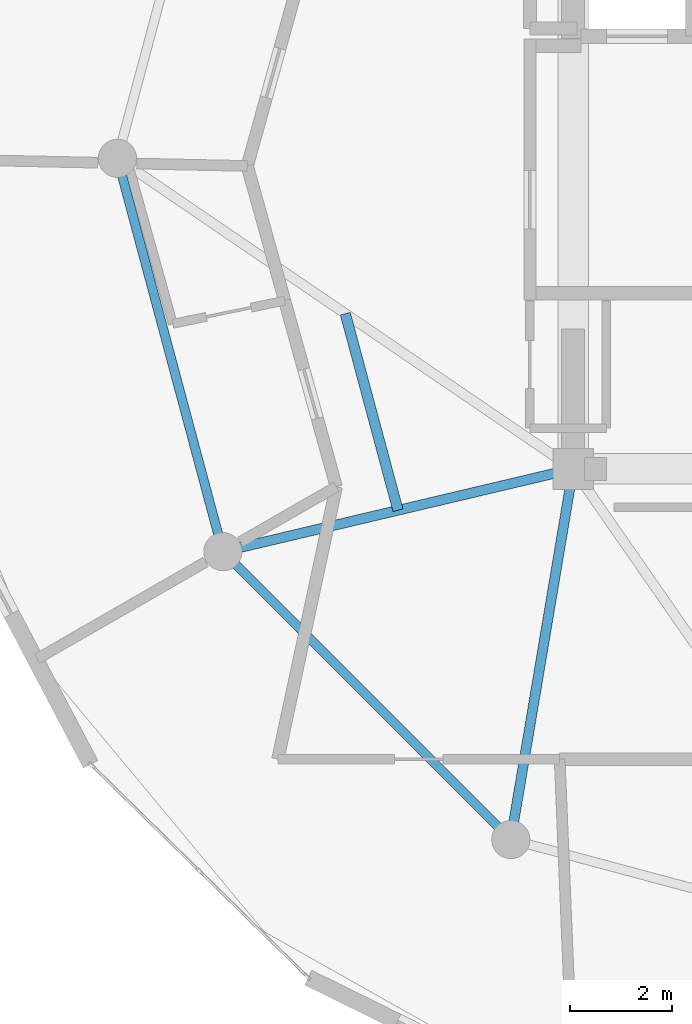
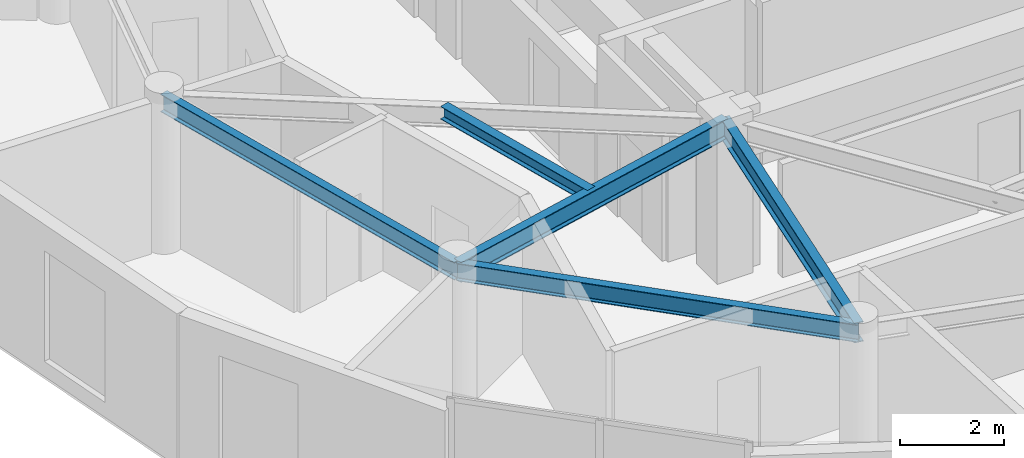
# One storey, part 3 of 18: 5 beams.
"""IFC4 building model written with IfcOpenShell, lengths in metres."""

from ifc_helpers import new_model, si_unit, direction, frame, origin, origin_2d, place, context, subcontext, project, spatial, i_section, extrude, material, material_profile, profile_set, type_object, element, save


model = new_model("IFC4")

# Units and contexts
model_context = context("Model", 3, precision=1e-05, world=origin(), true_north=direction((0.0, 1.0)))
body_context = subcontext(model_context, "Body", "Model", "MODEL_VIEW")
ifc_project = project(units=[si_unit("LENGTHUNIT", "METRE"), si_unit("AREAUNIT", "SQUARE_METRE"), si_unit("VOLUMEUNIT", "CUBIC_METRE"), si_unit("PLANEANGLEUNIT", "RADIAN"), si_unit("MASSUNIT", "GRAM", prefix="KILO")], contexts=[model_context])

# Site, building, storey
site_placement = place(None, origin())
site = spatial("IfcSite", under=ifc_project, at=site_placement, CompositionType="ELEMENT")
building_placement = place(site_placement, origin())
building = spatial("IfcBuilding", under=site, at=building_placement, Name="Solvirekh Grand Hotel", CompositionType="ELEMENT")
storey_placement = place(building_placement, frame((0.0, 0.0, 274.39990234375)))
storey = spatial("IfcBuildingStorey", under=building, at=storey_placement, Name="L71", CompositionType="ELEMENT", Elevation=274.39990234375)

# Beams
ifc_material = material(Name="Steel S355", Category="steel")
ifc_material_profile_1 = material_profile(ifc_material, i_section(OverallWidth=0.194091796875, OverallDepth=0.468994140625, WebThickness=0.010986328125, FlangeThickness=0.01904296875, FilletRadius=0.012939453125, at=origin_2d()), Name="W460X106")
ifc_profile_set_1 = profile_set([ifc_material_profile_1], Name="Steel S355")
beam_type_1 = type_object("IfcBeamType", Name="Beam_Radial_W460H", PredefinedType="BEAM", material=ifc_profile_set_1)
beam_1_placement = place(storey_placement, frame((-6.5, -6.10009765625, 3.336181640625), z_axis=(-0.973221147544, -0.229870828888, 0.0), x_axis=(0.229870828888, -0.973221147544, 0.0)))
element("IfcBeam", 1, at=beam_1_placement, inside=storey, type_object=beam_type_1, Name="L71 radial floor beam R08", PredefinedType="BEAM", context=body_context, shape_type="SweptSolid", body=[
    extrude(i_section(OverallWidth=0.194091796875, OverallDepth=0.468994140625, WebThickness=0.010986328125, FlangeThickness=0.01904296875, FilletRadius=0.012939453125, at=origin_2d()), origin(), (0.0, 0.0, 1.0), 7.069091796875),
])
beam_2_placement = place(storey_placement, frame((-6.5, -6.10009765625, 3.336181640625), z_axis=(-0.165954049106, -0.986133486697, 0.0), x_axis=(0.986133486697, -0.165954049106, 0.0)))
element("IfcBeam", 2, at=beam_2_placement, inside=storey, type_object=beam_type_1, Name="L71 radial floor beam R09", PredefinedType="BEAM", context=body_context, shape_type="SweptSolid", body=[
    extrude(i_section(OverallWidth=0.194091796875, OverallDepth=0.468994140625, WebThickness=0.010986328125, FlangeThickness=0.01904296875, FilletRadius=0.012939453125, at=origin_2d()), origin(), (0.0, 0.0, 1.0), 7.382080078125),
])
ifc_material_profile_2 = material_profile(ifc_material, i_section(OverallWidth=0.202880859375, OverallDepth=0.302978515625, WebThickness=0.008056640625, FlangeThickness=0.012939453125, FilletRadius=0.010009765625, at=origin_2d()), Name="W310X60")
ifc_profile_set_2 = profile_set([ifc_material_profile_2], Name="Steel S355")
beam_type_2 = type_object("IfcBeamType", Name="Joist_Floor_W310", PredefinedType="JOIST", material=ifc_profile_set_2)
beam_3_placement = place(storey_placement, frame((-10.97509765625, -3.050048828125, 3.419189453125), z_axis=(0.258893772796, -0.965905799966, 0.0), x_axis=(0.965905799966, 0.258893772796, 0.0)))
element("IfcBeam", 3, at=beam_3_placement, inside=storey, type_object=beam_type_2, Name="L71 secondary composite floor joist 7", PredefinedType="JOIST", context=body_context, shape_type="SweptSolid", body=[
    extrude(i_section(OverallWidth=0.202880859375, OverallDepth=0.302978515625, WebThickness=0.008056640625, FlangeThickness=0.012939453125, FilletRadius=0.010009765625, at=origin_2d()), origin(), (0.0, 0.0, 1.0), 3.998291015625),
])
ifc_material_profile_3 = material_profile(ifc_material, i_section(OverallWidth=0.180908203125, OverallDepth=0.4169921875, WebThickness=0.010009765625, FlangeThickness=0.01611328125, FilletRadius=0.011962890625, at=origin_2d()), Name="W410X85")
ifc_profile_set_3 = profile_set([ifc_material_profile_3], Name="Steel S355")
beam_type_3 = type_object("IfcBeamType", Name="Spandrel_Ring_W410", PredefinedType="SPANDREL", material=ifc_profile_set_3)
beam_4_placement = place(storey_placement, frame((-15.449951171875, 0.0, 3.362060546875), z_axis=(0.258834757072, -0.965921616143, 0.0), x_axis=(0.965921616143, 0.258834757072, 0.0)))
element("IfcBeam", 4, at=beam_4_placement, inside=storey, type_object=beam_type_3, Name="L71 perimeter spandrel beam 7", PredefinedType="SPANDREL", context=body_context, shape_type="SweptSolid", body=[
    extrude(i_section(OverallWidth=0.180908203125, OverallDepth=0.4169921875, WebThickness=0.010009765625, FlangeThickness=0.01611328125, FilletRadius=0.011962890625, at=origin_2d()), origin(), (0.0, 0.0, 1.0), 7.99755859375),
])
beam_5_placement = place(storey_placement, frame((-13.3798828125, -7.72509765625, 3.362060546875), z_axis=(0.707106781187, -0.707106781187, 0.0), x_axis=(0.707106781187, 0.707106781187, 0.0)))
element("IfcBeam", 5, at=beam_5_placement, inside=storey, type_object=beam_type_3, Name="L71 perimeter spandrel beam 8", PredefinedType="SPANDREL", context=body_context, shape_type="SweptSolid", body=[
    extrude(i_section(OverallWidth=0.180908203125, OverallDepth=0.4169921875, WebThickness=0.010009765625, FlangeThickness=0.01611328125, FilletRadius=0.011962890625, at=origin_2d()), origin(), (0.0, 0.0, 1.0), 7.9970703125),
])

save(model, "model.ifc")
